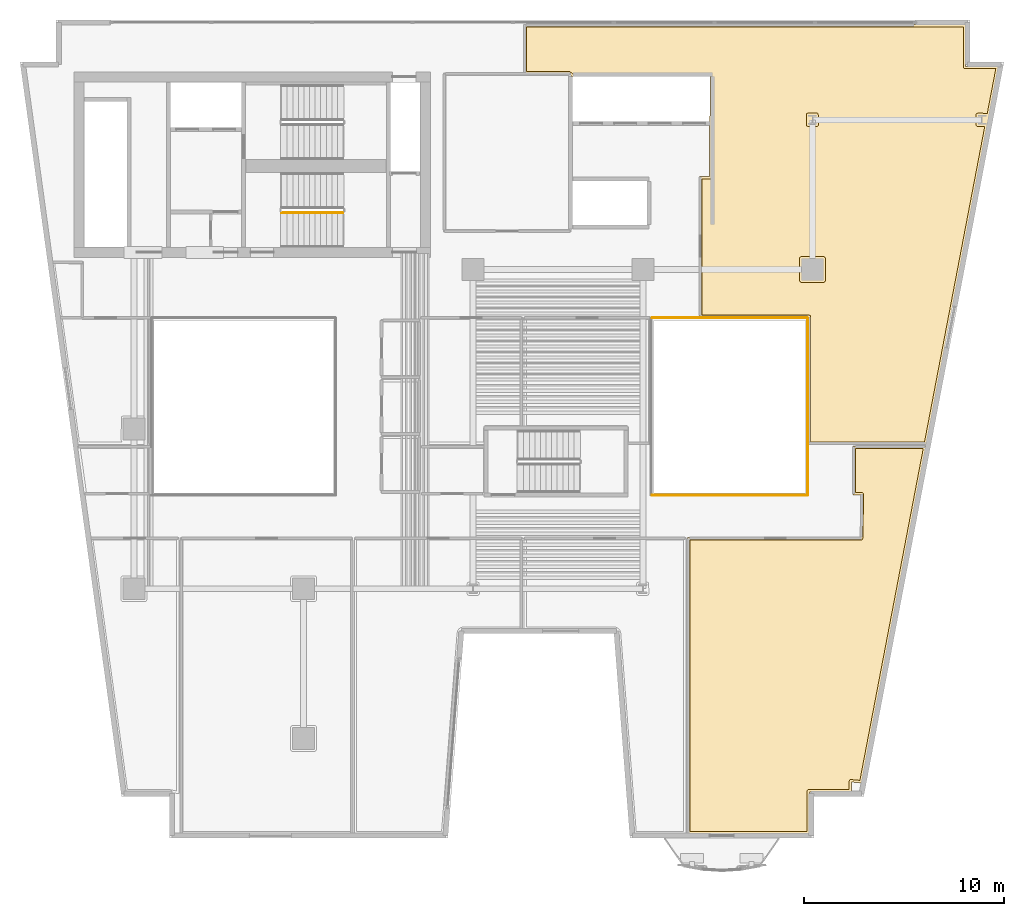
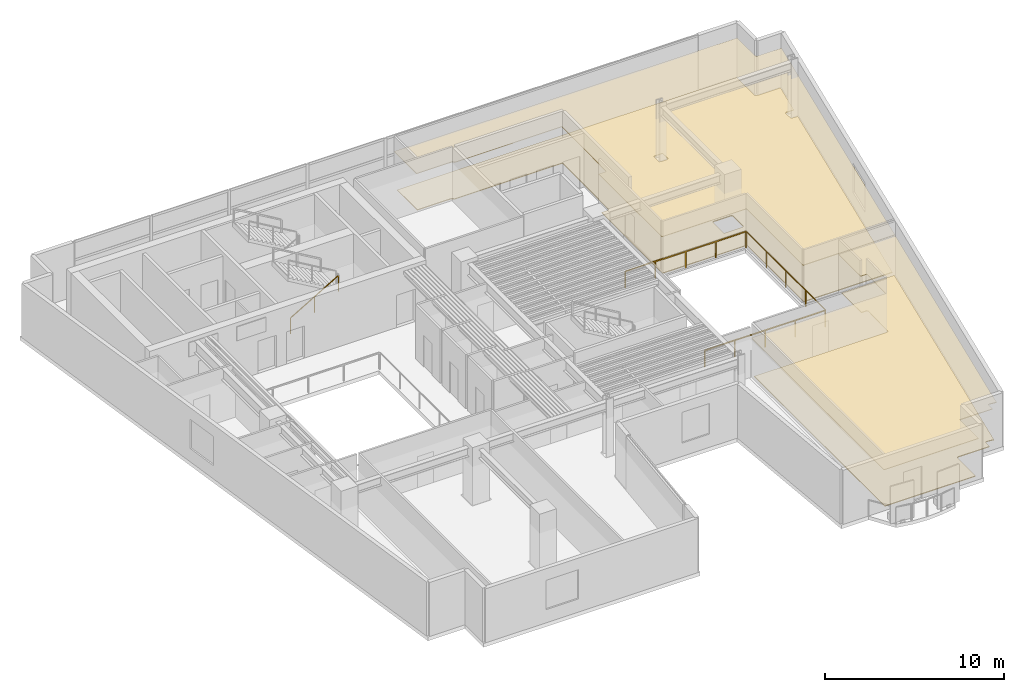
# One storey, part 11 of 12: 4 coverings, 4 railings.
"""IFC4 building model written with IfcOpenShell, lengths in metres."""

import ifcopenshell
import ifcopenshell.guid

model = None  # the IFC model being written
_history = None  # IfcOwnerHistory: only IFC2X3 demands one
_inside = {}  # id of a spatial element -> (the spatial element, [elements in it])
_under = {}  # id of a project, library or spatial element -> (it, [spatial elements below it])
_declared = {}  # id of a project -> (the project, [libraries it declares])
_typed = {}  # id of a type object -> (the type object, [elements of that type])
_made_of = {}  # id of a material, layer set ... -> (it, [elements and type objects made of it])


def new_model(schema):
    """Start an empty IFC model of exactly this schema.

    Asked for "IFC4X3", IfcOpenShell would pick the latest addendum, in which some entities
    have other attributes; the version numbers below select the first issue.
    IFC2X3 requires an IfcOwnerHistory on every rooted entity: one is made here for all.
    """
    global model, _history
    if schema == "IFC4X3":
        model = ifcopenshell.file(schema_version=(4, 3, 0, 0))
    else:
        model = ifcopenshell.file(schema=schema)
    _inside.clear()
    _under.clear()
    _declared.clear()
    _typed.clear()
    _made_of.clear()
    _history = None
    if model.schema == "IFC2X3":
        org = make("IfcOrganization", Name="unknown")
        user = make(
            "IfcPersonAndOrganization",
            ThePerson=make("IfcPerson", FamilyName="unknown"),
            TheOrganization=org,
        )
        app = make(
            "IfcApplication",
            ApplicationDeveloper=org,
            Version="unknown",
            ApplicationFullName="unknown",
            ApplicationIdentifier="unknown",
        )
        _history = make(
            "IfcOwnerHistory",
            OwningUser=user,
            OwningApplication=app,
            ChangeAction="ADDED",
            CreationDate=0,
        )
    return model


def make(cls, **values):
    """One entity of the class cls with the attributes given. An attribute that is None is left unset."""
    return model.create_entity(
        cls, **{name: value for name, value in values.items() if value is not None}
    )


def rooted(cls, **values):
    """An entity with a GlobalId (a new one), such as an element, a storey or a relation."""
    return make(cls, GlobalId=ifcopenshell.guid.new(), OwnerHistory=_history, **values)


def si_unit(unit_type, name, prefix=None):
    """IfcSIUnit, for example si_unit("LENGTHUNIT", "METRE", prefix="MILLI")."""
    return make("IfcSIUnit", UnitType=unit_type, Prefix=prefix, Name=name)


def assignment(units):
    """IfcUnitAssignment: the units of a project."""
    return None if units is None else make("IfcUnitAssignment", Units=units)


def point(xyz):
    """IfcCartesianPoint."""
    return None if xyz is None else make("IfcCartesianPoint", Coordinates=xyz)


def direction(xyz):
    """IfcDirection."""
    return None if xyz is None else make("IfcDirection", DirectionRatios=xyz)


def frame(location, z_axis=None, x_axis=None):
    """IfcAxis2Placement3D, a coordinate frame: its origin and axes. An axis left out is left unset."""
    return make(
        "IfcAxis2Placement3D",
        Location=point(location),
        Axis=direction(z_axis),
        RefDirection=direction(x_axis),
    )


def frame_2d(location, x_axis=None):
    """IfcAxis2Placement2D, a coordinate frame in the plane: its origin and x axis."""
    return make(
        "IfcAxis2Placement2D", Location=point(location), RefDirection=direction(x_axis)
    )


def origin():
    """The frame at (0, 0, 0) with its axes left unset."""
    return frame((0.0, 0.0, 0.0))


def origin_2d():
    """The frame at (0, 0) in the plane with its x axis left unset."""
    return frame_2d((0.0, 0.0))


def place(relative_to, where):
    """IfcLocalPlacement: puts the frame where relative to a parent placement (None: the world)."""
    return make(
        "IfcLocalPlacement", PlacementRelTo=relative_to, RelativePlacement=where
    )


def context(
    kind, dimensions, precision=None, world=None, true_north=None, identifier=None
):
    """IfcGeometricRepresentationContext, for example the 3D "Model" context."""
    return make(
        "IfcGeometricRepresentationContext",
        ContextIdentifier=identifier,
        ContextType=kind,
        CoordinateSpaceDimension=dimensions,
        Precision=precision,
        WorldCoordinateSystem=world,
        TrueNorth=true_north,
    )


def subcontext(parent, identifier, kind, view, scale=None):
    """IfcGeometricRepresentationSubContext, for example "Body" below "Model"."""
    return make(
        "IfcGeometricRepresentationSubContext",
        ContextIdentifier=identifier,
        ContextType=kind,
        ParentContext=parent,
        TargetScale=scale,
        TargetView=view,
    )


def project(units=None, contexts=None):
    """IfcProject with its units and contexts."""
    return rooted(
        "IfcProject",
        Name="project",
        RepresentationContexts=contexts,
        UnitsInContext=assignment(units),
    )


def spatial(cls, under=None, at=None, **own):
    """A site, building, storey or space (cls), placed at a placement, below another one or the project."""
    s = rooted(cls, ObjectPlacement=at, **own)
    if under is not None:
        _under.setdefault(under.id(), (under, []))[1].append(s)
    return s


def polyline(points):
    """IfcPolyline through the points."""
    return make("IfcPolyline", Points=[point(p) for p in points])


def profile(cls, at=None, kind="AREA", **sizes):
    """A parametric profile (cls). Its sizes go by their IFC names, for example OverallWidth=200.0."""
    return make(cls, ProfileType=kind, Position=at, **sizes)


def rectangle(**sizes):
    """IfcRectangleProfileDef."""
    return profile("IfcRectangleProfileDef", **sizes)


def outline(outer, holes=None, kind="AREA"):
    """IfcArbitraryClosedProfileDef: a profile drawn as a closed curve; with holes, ...WithVoids."""
    if holes is None:
        return make("IfcArbitraryClosedProfileDef", ProfileType=kind, OuterCurve=outer)
    return make(
        "IfcArbitraryProfileDefWithVoids",
        ProfileType=kind,
        OuterCurve=outer,
        InnerCurves=holes,
    )


def extrude(swept, where, along, depth):
    """IfcExtrudedAreaSolid: the profile swept, set in the frame where, extruded along a direction by depth."""
    return make(
        "IfcExtrudedAreaSolid",
        SweptArea=swept,
        Position=where,
        ExtrudedDirection=direction(along),
        Depth=depth,
    )


def shape(context_of_items, identifier, shape_type, items):
    """IfcShapeRepresentation: the items that make up one representation, for example the "Body"."""
    return make(
        "IfcShapeRepresentation",
        ContextOfItems=context_of_items,
        RepresentationIdentifier=identifier,
        RepresentationType=shape_type,
        Items=items,
    )


def material(Name=None, Category=None):
    """IfcMaterial."""
    return make("IfcMaterial", Name=Name, Category=Category)


def layer(
    of_material, thickness, ventilated=None, Name=None, Category=None, Priority=None
):
    """IfcMaterialLayer: one layer of a wall or slab, of a material (None: an air gap)."""
    return make(
        "IfcMaterialLayer",
        Material=of_material,
        LayerThickness=thickness,
        IsVentilated=ventilated,
        Name=Name,
        Category=Category,
        Priority=Priority,
    )


def layer_set(layers, Name=None):
    """IfcMaterialLayerSet."""
    return make("IfcMaterialLayerSet", MaterialLayers=layers, LayerSetName=Name)


def made_of(thing, what):
    """Note that an element or type object is made of a material, layer set ...; save() writes the relation."""
    if what is not None:
        _made_of.setdefault(what.id(), (what, []))[1].append(thing)
    return thing


def type_object(cls, material=None, **own):
    """A type object (cls), such as IfcWallType, which elements share."""
    return made_of(rooted(cls, **own), material)


def element(
    cls,
    number,
    at=None,
    inside=None,
    cuts=None,
    type_object=None,
    material=None,
    context=None,
    identifier="Body",
    shape_type=None,
    held_by="IfcProductDefinitionShape",
    body=None,
    shapes=None,
    **own,
):
    """One element of the class cls, such as IfcWall. Its Tag is "e" and its number.

    at: its placement. inside: the storey or other place that contains it. cuts: it is an
    opening in that element (IfcRelVoidsElement). A single representation is given by context,
    identifier, shape_type and body (its items); several are given by shapes. held_by: the class
    of the entity that holds the representations. save() writes the other relations.
    """
    e = rooted(cls, Tag="e%d" % number, ObjectPlacement=at, **own)
    if body is not None:
        shapes = [shape(context, identifier, shape_type, body)]
    if shapes is not None:
        e.Representation = make(held_by, Representations=shapes)
    if inside is not None:
        _inside.setdefault(inside.id(), (inside, []))[1].append(e)
    if cuts is not None:
        rooted(
            "IfcRelVoidsElement", RelatingBuildingElement=cuts, RelatedOpeningElement=e
        )
    if type_object is not None:
        _typed.setdefault(type_object.id(), (type_object, []))[1].append(e)
    return made_of(e, material)


def aggregate(whole, parts):
    """IfcRelAggregates: a whole, such as a stair, and the parts it consists of."""
    return rooted("IfcRelAggregates", RelatingObject=whole, RelatedObjects=parts)


def save(model, path):
    """Write the relations noted so far, then the file.

    IfcRelAggregates (storeys below a building ...), IfcRelContainedInSpatialStructure (elements
    in a storey), IfcRelDefinesByType, IfcRelAssociatesMaterial and IfcRelDeclares: one each for
    every whole, place, type object, material and project.
    """
    for whole, parts in _under.values():
        aggregate(whole, parts)
    for where, things in _inside.values():
        rooted(
            "IfcRelContainedInSpatialStructure",
            RelatedElements=things,
            RelatingStructure=where,
        )
    for kind, things in _typed.values():
        rooted("IfcRelDefinesByType", RelatedObjects=things, RelatingType=kind)
    for what, things in _made_of.values():
        rooted("IfcRelAssociatesMaterial", RelatedObjects=things, RelatingMaterial=what)
    for by, libraries in _declared.values():
        rooted("IfcRelDeclares", RelatingContext=by, RelatedDefinitions=libraries)
    model.write(path)


model = new_model("IFC4")

# Units and contexts
model_context = context("Model", 3, precision=1e-05, world=origin(), true_north=direction((0.0, 1.0)))
body_context = subcontext(model_context, "Body", "Model", "MODEL_VIEW")
ifc_project = project(units=[si_unit("LENGTHUNIT", "METRE"), si_unit("AREAUNIT", "SQUARE_METRE"), si_unit("VOLUMEUNIT", "CUBIC_METRE"), si_unit("PLANEANGLEUNIT", "RADIAN"), si_unit("MASSUNIT", "GRAM", prefix="KILO")], contexts=[model_context])

# Site, building, storey
site_placement = place(None, origin())
site = spatial("IfcSite", under=ifc_project, at=site_placement, CompositionType="ELEMENT")
building_placement = place(site_placement, origin())
building = spatial("IfcBuilding", under=site, at=building_placement, Name="Caeloran Harvest Quay", CompositionType="ELEMENT")
storey_placement = place(building_placement, frame((0.0, 0.0, 154.85009765625)))
storey = spatial("IfcBuildingStorey", under=building, at=storey_placement, Name="L36", CompositionType="ELEMENT", Elevation=154.85009765625)

# Coverings
ifc_material_1 = material(Name="Perforated Mineral-Fibre Acoustic Ceiling Tile", Category="ceiling")
ifc_layer_1 = layer(ifc_material_1, 0.0400390625, Name="Perforated Mineral-Fibre Acoustic Ceiling Tile")
ifc_layer_set_1 = layer_set([ifc_layer_1], Name="Perforated Mineral-Fibre Acoustic Ceiling Tile")
covering_type_1 = type_object("IfcCoveringType", Name="COV-CEILING-ACOUSTIC", PredefinedType="CEILING", material=ifc_layer_set_1)
covering_1_placement = place(storey_placement, frame((0.0, 0.0, 2.599853515625)))
element("IfcCovering", 1, at=covering_1_placement, inside=storey, type_object=covering_type_1, Name="Seed IP Legal Counsel Office Acoustic Ceiling", PredefinedType="CEILING", context=body_context, shape_type="SweptSolid", body=[
    extrude(outline(polyline([(44.5400390625, 19.7099609375), (44.5400390625, 22.159912109375), (48.20068359375, 22.159912109375), (44.974609375, 5.26708984375), (44.4599609375, 5.31591796875), (44.4599609375, 4.820068359375), (42.35009765625, 4.820068359375), (42.35009765625, 2.719970703125), (36.239990234375, 2.719970703125), (36.239990234375, 17.56005859375), (44.910400390625, 17.56005859375), (44.939453125, 19.7099609375), (44.5400390625, 19.7099609375)])), origin(), (0.0, 0.0, 1.0), 0.0400390625),
])
covering_2_placement = place(storey_placement, frame((0.0, 0.0, 2.599853515625)))
element("IfcCovering", 2, at=covering_2_placement, inside=storey, type_object=covering_type_1, Name="Seed IP Legal Counsel Office 11 Acoustic Ceiling", PredefinedType="CEILING", context=body_context, shape_type="SweptSolid", body=[
    extrude(outline(polyline([(48.2158203125, 22.239990234375), (42.2900390625, 22.239990234375), (42.2900390625, 28.590087890625), (36.840087890625, 28.590087890625), (36.840087890625, 35.659912109375), (37.330322265625, 35.659912109375), (37.36962890625, 40.68994140625), (30.44677734375, 40.669921875), (30.33544921875, 40.789794921875), (28.0400390625, 40.7900390625), (28.0400390625, 43.280029296875), (50.179931640625, 43.280029296875), (50.179931640625, 41.179931640625), (51.8330078125, 41.179931640625), (48.2158203125, 22.239990234375)])), origin(), (0.0, 0.0, 1.0), 0.0400390625),
])
ifc_material_2 = material(Name="Calcium-Sulphate Raised Access Floor and Terrazzo Finish", Category="flooring")
ifc_layer_2 = layer(ifc_material_2, 0.050048828125, Name="Calcium-Sulphate Raised Access Floor and Terrazzo Finish")
ifc_layer_set_2 = layer_set([ifc_layer_2], Name="Calcium-Sulphate Raised Access Floor and Terrazzo Finish")
covering_type_2 = type_object("IfcCoveringType", Name="COV-FLOOR-RAISED", PredefinedType="FLOORING", material=ifc_layer_set_2)
covering_3_placement = place(storey_placement, origin())
element("IfcCovering", 3, at=covering_3_placement, inside=storey, type_object=covering_type_2, Name="Seed IP Legal Counsel Office Raised Finish Flooring", PredefinedType="FLOORING", context=body_context, shape_type="SweptSolid", body=[
    extrude(outline(polyline([(44.659912109375, 19.830078125), (44.659912109375, 22.0400390625), (48.055419921875, 22.0400390625), (44.877197265625, 5.39697265625), (44.427490234375, 5.439453125), (44.369140625, 5.421630859375), (44.34033203125, 5.36767578125), (44.340087890625, 4.93994140625), (42.31005859375, 4.93994140625), (42.25341796875, 4.91650390625), (42.22998046875, 4.860107421875), (42.22998046875, 2.840087890625), (36.360107421875, 2.840087890625), (36.360107421875, 17.43994140625), (44.972900390625, 17.443359375), (45.030029296875, 17.518798828125), (45.059814453125, 19.7568359375), (44.99560546875, 19.828369140625), (44.659912109375, 19.830078125)])), origin(), (0.0, 0.0, 1.0), 0.0498046875),
])
covering_4_placement = place(storey_placement, origin())
element("IfcCovering", 4, at=covering_4_placement, inside=storey, type_object=covering_type_2, Name="Seed IP Legal Counsel Office 11 Raised Finish Flooring", PredefinedType="FLOORING", context=body_context, shape_type="SweptSolid", body=[
    extrude(outline(polyline([(50.06005859375, 43.159912109375), (50.078125, 41.089111328125), (50.132080078125, 41.060302734375), (51.68798828125, 41.06005859375), (51.260986328125, 38.82421875), (50.76513671875, 38.83154296875), (50.694580078125, 38.767578125), (50.70654296875, 38.20361328125), (50.76513671875, 38.16845703125), (51.135498046875, 38.16796875), (48.11669921875, 22.360107421875), (42.409912109375, 22.360107421875), (42.391845703125, 28.680908203125), (42.330078125, 28.7099609375), (36.9599609375, 28.7099609375), (36.9599609375, 35.5400390625), (37.377685546875, 35.540283203125), (37.44970703125, 35.611572265625), (37.476806640625, 40.774169921875), (37.409912109375, 40.81005859375), (30.498779296875, 40.7900390625), (30.352783203125, 40.909912109375), (28.159912109375, 40.909912109375), (28.159912109375, 43.159912109375), (50.06005859375, 43.159912109375)]), holes=[polyline([(41.93505859375, 31.64501953125), (41.87841796875, 31.62158203125), (41.85498046875, 31.56494140625), (41.85498046875, 30.43505859375), (41.87841796875, 30.37841796875), (41.93505859375, 30.35498046875), (43.06494140625, 30.35498046875), (43.12158203125, 30.37841796875), (43.14501953125, 30.43505859375), (43.14501953125, 31.56494140625), (43.12158203125, 31.62158203125), (43.06494140625, 31.64501953125), (41.93505859375, 31.64501953125)]), polyline([(42.806884765625, 38.248046875), (42.788818359375, 38.802734375), (42.73486328125, 38.83154296875), (42.27294921875, 38.83203125), (42.21630859375, 38.80859375), (42.193115234375, 38.751953125), (42.193115234375, 38.248046875), (42.21630859375, 38.19140625), (42.27294921875, 38.16796875), (42.72705078125, 38.16796875), (42.78369140625, 38.19140625), (42.806884765625, 38.248046875)])]), origin(), (0.0, 0.0, 1.0), 0.0498046875),
])

# Railings
ifc_material_3 = material(Name="Powder-Coated Steel Post and Laminated Glass Guardrail", Category="steel")
ifc_layer_3 = layer(ifc_material_3, 0.06005859375, Name="Powder-Coated Steel Post and Laminated Glass Guardrail")
ifc_layer_set_3 = layer_set([ifc_layer_3], Name="Powder-Coated Steel Post and Laminated Glass Guardrail")
railing_type_1 = type_object("IfcRailingType", Name="GUARD-ATRIUM-1150", PredefinedType="GUARDRAIL", material=ifc_layer_set_3)
railing_1_placement = place(storey_placement, frame((34.4619140625, 19.679931640625, 0.0)))
element("IfcRailing", 5, at=railing_1_placement, inside=storey, type_object=railing_type_1, Name="L36 East Botanical Lightwell Guardrail Seg 1", PredefinedType="GUARDRAIL", context=body_context, shape_type="SweptSolid", body=[
    extrude(rectangle(XDim=0.048095703125, YDim=0.048095703125, at=origin_2d()), frame((0.0, 0.0, 1.1259765625), z_axis=(1.0, 0.0, 0.0), x_axis=(0.0, 1.0, 0.0)), (0.0, 0.0, 1.0), 7.776123046875),
    extrude(rectangle(XDim=0.0419921875, YDim=0.0419921875, at=origin_2d()), origin(), (0.0, 0.0, 1.0), 1.101806640625),
    extrude(rectangle(XDim=0.0419921875, YDim=0.0419921875, at=origin_2d()), frame((1.944091796875, 0.0, 0.0)), (0.0, 0.0, 1.0), 1.101806640625),
    extrude(rectangle(XDim=0.0419921875, YDim=0.0419921875, at=origin_2d()), frame((3.88818359375, 0.0, 0.0)), (0.0, 0.0, 1.0), 1.101806640625),
    extrude(rectangle(XDim=0.0419921875, YDim=0.0419921875, at=origin_2d()), frame((5.83203125, 0.0, 0.0)), (0.0, 0.0, 1.0), 1.101806640625),
    extrude(rectangle(XDim=0.0419921875, YDim=0.0419921875, at=origin_2d()), frame((7.776123046875, 0.0, 0.0)), (0.0, 0.0, 1.0), 1.101806640625),
])
railing_2_placement = place(storey_placement, frame((42.27001953125, 19.7119140625, 0.0)))
element("IfcRailing", 6, at=railing_2_placement, inside=storey, type_object=railing_type_1, Name="L36 East Botanical Lightwell Guardrail Seg 2", PredefinedType="GUARDRAIL", context=body_context, shape_type="SweptSolid", body=[
    extrude(rectangle(XDim=0.048095703125, YDim=0.048095703125, at=origin_2d()), frame((0.0, 0.0, 1.1259765625), z_axis=(0.0, 1.0, 0.0), x_axis=(-1.0, 0.0, 0.0)), (0.0, 0.0, 1.0), 8.826171875),
    extrude(rectangle(XDim=0.0419921875, YDim=0.0419921875, at=origin_2d()), origin(), (0.0, 0.0, 1.0), 1.101806640625),
    extrude(rectangle(XDim=0.0419921875, YDim=0.0419921875, at=origin_2d()), frame((0.0, 2.20654296875, 0.0)), (0.0, 0.0, 1.0), 1.101806640625),
    extrude(rectangle(XDim=0.0419921875, YDim=0.0419921875, at=origin_2d()), frame((0.0, 4.4130859375, 0.0)), (0.0, 0.0, 1.0), 1.101806640625),
    extrude(rectangle(XDim=0.0419921875, YDim=0.0419921875, at=origin_2d()), frame((0.0, 6.61962890625, 0.0)), (0.0, 0.0, 1.0), 1.101806640625),
    extrude(rectangle(XDim=0.0419921875, YDim=0.0419921875, at=origin_2d()), frame((0.0, 8.826171875, 0.0)), (0.0, 0.0, 1.0), 1.101806640625),
])
railing_3_placement = place(storey_placement, frame((42.238037109375, 28.570068359375, 0.0)))
element("IfcRailing", 7, at=railing_3_placement, inside=storey, type_object=railing_type_1, Name="L36 East Botanical Lightwell Guardrail Seg 3", PredefinedType="GUARDRAIL", context=body_context, shape_type="SweptSolid", body=[
    extrude(rectangle(XDim=0.048095703125, YDim=0.048095703125, at=origin_2d()), frame((0.0, 0.0, 1.1259765625), z_axis=(-1.0, 0.0, 0.0), x_axis=(0.0, -1.0, 0.0)), (0.0, 0.0, 1.0), 7.776123046875),
    extrude(rectangle(XDim=0.0419921875, YDim=0.0419921875, at=origin_2d()), origin(), (0.0, 0.0, 1.0), 1.101806640625),
    extrude(rectangle(XDim=0.0419921875, YDim=0.0419921875, at=origin_2d()), frame((-1.944091796875, 0.0, 0.0)), (0.0, 0.0, 1.0), 1.101806640625),
    extrude(rectangle(XDim=0.0419921875, YDim=0.0419921875, at=origin_2d()), frame((-3.88818359375, 0.0, 0.0)), (0.0, 0.0, 1.0), 1.101806640625),
    extrude(rectangle(XDim=0.0419921875, YDim=0.0419921875, at=origin_2d()), frame((-5.83203125, 0.0, 0.0)), (0.0, 0.0, 1.0), 1.101806640625),
    extrude(rectangle(XDim=0.0419921875, YDim=0.0419921875, at=origin_2d()), frame((-7.776123046875, 0.0, 0.0)), (0.0, 0.0, 1.0), 1.101806640625),
])
ifc_material_4 = material(Name="Painted Steel Baluster and Top-Rail Stair Guard", Category="steel")
ifc_layer_4 = layer(ifc_material_4, 0.050048828125, Name="Painted Steel Baluster and Top-Rail Stair Guard")
ifc_layer_set_4 = layer_set([ifc_layer_4], Name="Painted Steel Baluster and Top-Rail Stair Guard")
railing_type_2 = type_object("IfcRailingType", Name="STAIR-GUARD-1100", PredefinedType="GUARDRAIL", material=ifc_layer_set_4)
railing_4_placement = place(storey_placement, frame((15.89990234375, 33.85009765625, 0.16455078125)))
element("IfcRailing", 8, at=railing_4_placement, inside=storey, type_object=railing_type_2, Name="L36 ST-C2 stair guard 1", PredefinedType="GUARDRAIL", context=body_context, shape_type="SweptSolid", body=[
    extrude(rectangle(XDim=0.048095703125, YDim=0.048095703125, at=origin_2d()), frame((0.0, 0.0, 1.076171875), z_axis=(0.862118610829, 0.0, 0.506706523406), x_axis=(0.0, 1.0, 0.0)), (0.0, 0.0, 1.0), 3.57275390625),
    extrude(rectangle(XDim=0.0419921875, YDim=0.0419921875, at=origin_2d()), origin(), (0.0, 0.0, 1.0), 1.052001953125),
    extrude(rectangle(XDim=0.0419921875, YDim=0.0419921875, at=origin_2d()), frame((1.5400390625, 0.0, 0.9052734375)), (0.0, 0.0, 1.0), 1.052001953125),
    extrude(rectangle(XDim=0.0419921875, YDim=0.0419921875, at=origin_2d()), frame((3.080078125, 0.0, 1.810302734375)), (0.0, 0.0, 1.0), 1.052001953125),
])

save(model, "model.ifc")
